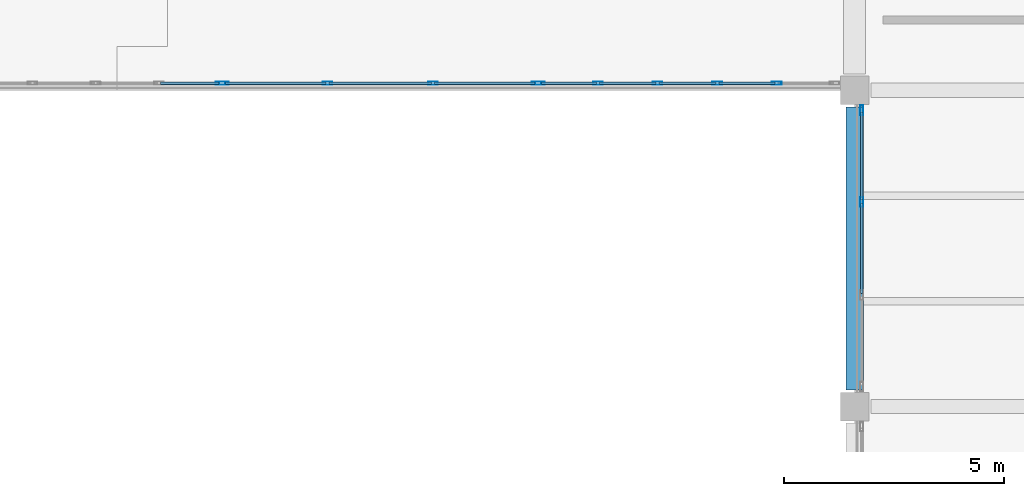
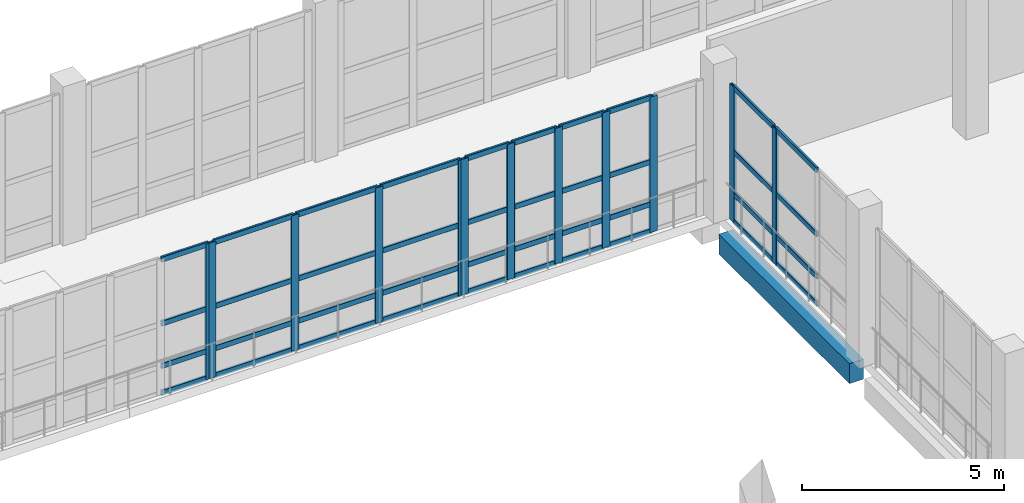
# One storey, part 34 of 127: 52 members, 1 beam, 4 elements without a shape of their own.
"""IFC4 building model written with IfcOpenShell, lengths in metres."""

import ifcopenshell
import ifcopenshell.guid

model = None  # the IFC model being written
_history = None  # IfcOwnerHistory: only IFC2X3 demands one
_inside = {}  # id of a spatial element -> (the spatial element, [elements in it])
_under = {}  # id of a project, library or spatial element -> (it, [spatial elements below it])
_declared = {}  # id of a project -> (the project, [libraries it declares])
_typed = {}  # id of a type object -> (the type object, [elements of that type])
_made_of = {}  # id of a material, layer set ... -> (it, [elements and type objects made of it])


def new_model(schema):
    """Start an empty IFC model of exactly this schema.

    Asked for "IFC4X3", IfcOpenShell would pick the latest addendum, in which some entities
    have other attributes; the version numbers below select the first issue.
    IFC2X3 requires an IfcOwnerHistory on every rooted entity: one is made here for all.
    """
    global model, _history
    if schema == "IFC4X3":
        model = ifcopenshell.file(schema_version=(4, 3, 0, 0))
    else:
        model = ifcopenshell.file(schema=schema)
    _inside.clear()
    _under.clear()
    _declared.clear()
    _typed.clear()
    _made_of.clear()
    _history = None
    if model.schema == "IFC2X3":
        org = make("IfcOrganization", Name="unknown")
        user = make(
            "IfcPersonAndOrganization",
            ThePerson=make("IfcPerson", FamilyName="unknown"),
            TheOrganization=org,
        )
        app = make(
            "IfcApplication",
            ApplicationDeveloper=org,
            Version="unknown",
            ApplicationFullName="unknown",
            ApplicationIdentifier="unknown",
        )
        _history = make(
            "IfcOwnerHistory",
            OwningUser=user,
            OwningApplication=app,
            ChangeAction="ADDED",
            CreationDate=0,
        )
    return model


def make(cls, **values):
    """One entity of the class cls with the attributes given. An attribute that is None is left unset."""
    return model.create_entity(
        cls, **{name: value for name, value in values.items() if value is not None}
    )


def rooted(cls, **values):
    """An entity with a GlobalId (a new one), such as an element, a storey or a relation."""
    return make(cls, GlobalId=ifcopenshell.guid.new(), OwnerHistory=_history, **values)


def si_unit(unit_type, name, prefix=None):
    """IfcSIUnit, for example si_unit("LENGTHUNIT", "METRE", prefix="MILLI")."""
    return make("IfcSIUnit", UnitType=unit_type, Prefix=prefix, Name=name)


def assignment(units):
    """IfcUnitAssignment: the units of a project."""
    return None if units is None else make("IfcUnitAssignment", Units=units)


def point(xyz):
    """IfcCartesianPoint."""
    return None if xyz is None else make("IfcCartesianPoint", Coordinates=xyz)


def direction(xyz):
    """IfcDirection."""
    return None if xyz is None else make("IfcDirection", DirectionRatios=xyz)


def frame(location, z_axis=None, x_axis=None):
    """IfcAxis2Placement3D, a coordinate frame: its origin and axes. An axis left out is left unset."""
    return make(
        "IfcAxis2Placement3D",
        Location=point(location),
        Axis=direction(z_axis),
        RefDirection=direction(x_axis),
    )


def frame_2d(location, x_axis=None):
    """IfcAxis2Placement2D, a coordinate frame in the plane: its origin and x axis."""
    return make(
        "IfcAxis2Placement2D", Location=point(location), RefDirection=direction(x_axis)
    )


def origin():
    """The frame at (0, 0, 0) with its axes left unset."""
    return frame((0.0, 0.0, 0.0))


def origin_2d():
    """The frame at (0, 0) in the plane with its x axis left unset."""
    return frame_2d((0.0, 0.0))


def place(relative_to, where):
    """IfcLocalPlacement: puts the frame where relative to a parent placement (None: the world)."""
    return make(
        "IfcLocalPlacement", PlacementRelTo=relative_to, RelativePlacement=where
    )


def context(
    kind, dimensions, precision=None, world=None, true_north=None, identifier=None
):
    """IfcGeometricRepresentationContext, for example the 3D "Model" context."""
    return make(
        "IfcGeometricRepresentationContext",
        ContextIdentifier=identifier,
        ContextType=kind,
        CoordinateSpaceDimension=dimensions,
        Precision=precision,
        WorldCoordinateSystem=world,
        TrueNorth=true_north,
    )


def subcontext(parent, identifier, kind, view, scale=None):
    """IfcGeometricRepresentationSubContext, for example "Body" below "Model"."""
    return make(
        "IfcGeometricRepresentationSubContext",
        ContextIdentifier=identifier,
        ContextType=kind,
        ParentContext=parent,
        TargetScale=scale,
        TargetView=view,
    )


def project(units=None, contexts=None):
    """IfcProject with its units and contexts."""
    return rooted(
        "IfcProject",
        Name="project",
        RepresentationContexts=contexts,
        UnitsInContext=assignment(units),
    )


def spatial(cls, under=None, at=None, **own):
    """A site, building, storey or space (cls), placed at a placement, below another one or the project."""
    s = rooted(cls, ObjectPlacement=at, **own)
    if under is not None:
        _under.setdefault(under.id(), (under, []))[1].append(s)
    return s


def profile(cls, at=None, kind="AREA", **sizes):
    """A parametric profile (cls). Its sizes go by their IFC names, for example OverallWidth=200.0."""
    return make(cls, ProfileType=kind, Position=at, **sizes)


def rectangle(**sizes):
    """IfcRectangleProfileDef."""
    return profile("IfcRectangleProfileDef", **sizes)


def hollow_rectangle(**sizes):
    """IfcRectangleHollowProfileDef."""
    return profile("IfcRectangleHollowProfileDef", **sizes)


def extrude(swept, where, along, depth):
    """IfcExtrudedAreaSolid: the profile swept, set in the frame where, extruded along a direction by depth."""
    return make(
        "IfcExtrudedAreaSolid",
        SweptArea=swept,
        Position=where,
        ExtrudedDirection=direction(along),
        Depth=depth,
    )


def shape(context_of_items, identifier, shape_type, items):
    """IfcShapeRepresentation: the items that make up one representation, for example the "Body"."""
    return make(
        "IfcShapeRepresentation",
        ContextOfItems=context_of_items,
        RepresentationIdentifier=identifier,
        RepresentationType=shape_type,
        Items=items,
    )


def material(Name=None, Category=None):
    """IfcMaterial."""
    return make("IfcMaterial", Name=Name, Category=Category)


def material_profile(
    of_material, cross_section, Name=None, Category=None, Priority=None
):
    """IfcMaterialProfile: a cross section and its material."""
    return make(
        "IfcMaterialProfile",
        Name=Name,
        Material=of_material,
        Profile=cross_section,
        Priority=Priority,
        Category=Category,
    )


def profile_set(profiles, Name=None, composite=None):
    """IfcMaterialProfileSet."""
    return make(
        "IfcMaterialProfileSet",
        Name=Name,
        MaterialProfiles=profiles,
        CompositeProfile=composite,
    )


def made_of(thing, what):
    """Note that an element or type object is made of a material, layer set ...; save() writes the relation."""
    if what is not None:
        _made_of.setdefault(what.id(), (what, []))[1].append(thing)
    return thing


def type_object(cls, material=None, **own):
    """A type object (cls), such as IfcWallType, which elements share."""
    return made_of(rooted(cls, **own), material)


def element(
    cls,
    number,
    at=None,
    inside=None,
    cuts=None,
    type_object=None,
    material=None,
    context=None,
    identifier="Body",
    shape_type=None,
    held_by="IfcProductDefinitionShape",
    body=None,
    shapes=None,
    **own,
):
    """One element of the class cls, such as IfcWall. Its Tag is "e" and its number.

    at: its placement. inside: the storey or other place that contains it. cuts: it is an
    opening in that element (IfcRelVoidsElement). A single representation is given by context,
    identifier, shape_type and body (its items); several are given by shapes. held_by: the class
    of the entity that holds the representations. save() writes the other relations.
    """
    e = rooted(cls, Tag="e%d" % number, ObjectPlacement=at, **own)
    if body is not None:
        shapes = [shape(context, identifier, shape_type, body)]
    if shapes is not None:
        e.Representation = make(held_by, Representations=shapes)
    if inside is not None:
        _inside.setdefault(inside.id(), (inside, []))[1].append(e)
    if cuts is not None:
        rooted(
            "IfcRelVoidsElement", RelatingBuildingElement=cuts, RelatedOpeningElement=e
        )
    if type_object is not None:
        _typed.setdefault(type_object.id(), (type_object, []))[1].append(e)
    return made_of(e, material)


def aggregate(whole, parts):
    """IfcRelAggregates: a whole, such as a stair, and the parts it consists of."""
    return rooted("IfcRelAggregates", RelatingObject=whole, RelatedObjects=parts)


def save(model, path):
    """Write the relations noted so far, then the file.

    IfcRelAggregates (storeys below a building ...), IfcRelContainedInSpatialStructure (elements
    in a storey), IfcRelDefinesByType, IfcRelAssociatesMaterial and IfcRelDeclares: one each for
    every whole, place, type object, material and project.
    """
    for whole, parts in _under.values():
        aggregate(whole, parts)
    for where, things in _inside.values():
        rooted(
            "IfcRelContainedInSpatialStructure",
            RelatedElements=things,
            RelatingStructure=where,
        )
    for kind, things in _typed.values():
        rooted("IfcRelDefinesByType", RelatedObjects=things, RelatingType=kind)
    for what, things in _made_of.values():
        rooted("IfcRelAssociatesMaterial", RelatedObjects=things, RelatingMaterial=what)
    for by, libraries in _declared.values():
        rooted("IfcRelDeclares", RelatingContext=by, RelatedDefinitions=libraries)
    model.write(path)


model = new_model("IFC4")

# Units and contexts
model_context = context("Model", 3, precision=1e-05, world=origin(), true_north=direction((0.0, 1.0)))
body_context = subcontext(model_context, "Body", "Model", "MODEL_VIEW")
ifc_project = project(units=[si_unit("LENGTHUNIT", "METRE"), si_unit("AREAUNIT", "SQUARE_METRE"), si_unit("VOLUMEUNIT", "CUBIC_METRE"), si_unit("PLANEANGLEUNIT", "RADIAN"), si_unit("MASSUNIT", "GRAM", prefix="KILO")], contexts=[model_context])

# Site, building, storey
site_placement = place(None, origin())
site = spatial("IfcSite", under=ifc_project, at=site_placement, CompositionType="ELEMENT")
building_placement = place(site_placement, origin())
building = spatial("IfcBuilding", under=site, at=building_placement, Name="Kalmorath City Hall", CompositionType="ELEMENT")
storey_placement = place(building_placement, frame((0.0, 0.0, 5.39990234375)))
storey = spatial("IfcBuildingStorey", under=building, at=storey_placement, Name="L01", CompositionType="ELEMENT", Elevation=5.39990234375)

# Beam
ifc_material_1 = material(Name="Concrete C40/50", Category="concrete")
ifc_material_profile_1 = material_profile(ifc_material_1, rectangle(XDim=0.39990234375, YDim=0.60009765625, at=origin_2d()), Name="RC-BM-400X600")
ifc_profile_set_1 = profile_set([ifc_material_profile_1], Name="Concrete C40/50")
beam_type = type_object("IfcBeamType", Name="Concrete edge beam 400x600", PredefinedType="SPANDREL", material=ifc_profile_set_1)
beam_placement = place(storey_placement, frame((79.199951171875, 29.175048828125, -0.6240234375), z_axis=(0.0, 1.0, 0.0), x_axis=(-1.0, 0.0, 0.0)))
element("IfcBeam", 1, at=beam_placement, inside=storey, type_object=beam_type, Name="L01 girder CB6 Y12/5-6", PredefinedType="SPANDREL", context=body_context, shape_type="SweptSolid", body=[
    extrude(rectangle(XDim=0.39990234375, YDim=0.60009765625, at=origin_2d()), origin(), (0.0, 0.0, 1.0), 6.449951171875),
])

# Curtain wall, members
ifc_material_2 = material(Name="Anodised aluminium and laminated glass", Category="aluminium")
curtain_wall_type_1 = type_object("IfcCurtainWallType", Name="Unitised hurricane curtain wall 6370x4090 M2100", PredefinedType="NOTDEFINED", material=ifc_material_2)
curtain_wall_1_placement = place(storey_placement, origin())
curtain_wall_1 = element("IfcCurtainWall", 2, at=curtain_wall_1_placement, inside=storey, type_object=curtain_wall_type_1, Name="L01 curtain wall CW-64X41M21 #73", PredefinedType="NOTDEFINED")
ifc_material_3 = material(Name="Anodised aluminium framing", Category="aluminium")
ifc_material_profile_2 = material_profile(ifc_material_3, hollow_rectangle(XDim=0.074951171875, YDim=0.219970703125, WallThickness=0.00390625, InnerFilletRadius=0.00390625, OuterFilletRadius=0.008056640625, at=origin_2d()), Name="ALU-MUL-220X75X4")
ifc_profile_set_2 = profile_set([ifc_material_profile_2], Name="Anodised aluminium framing")
member_type_1 = type_object("IfcMemberType", Name="Curtain-wall primary mullion 220x75", PredefinedType="MULLION", material=ifc_profile_set_2)
member_1_placement = place(storey_placement, frame((79.360107421875, 33.461669921875, 0.0), z_axis=(0.0, 0.0, 1.0), x_axis=(-1.0, 0.0, 0.0)))
member_1 = element("IfcMember", 3, at=member_1_placement, type_object=member_type_1, Name="CW-64X41M21 mullion 3", PredefinedType="MULLION", context=body_context, shape_type="SweptSolid", body=[
    extrude(hollow_rectangle(XDim=0.074951171875, YDim=0.219970703125, WallThickness=0.00390625, InnerFilletRadius=0.00390625, OuterFilletRadius=0.008056640625, at=origin_2d()), origin(), (0.0, 0.0, 1.0), 4.090087890625),
])
member_2_placement = place(storey_placement, frame((79.360107421875, 35.547607421875, 0.0), z_axis=(0.0, 0.0, 1.0), x_axis=(-1.0, 0.0, 0.0)))
member_2 = element("IfcMember", 4, at=member_2_placement, type_object=member_type_1, Name="CW-64X41M21 mullion 4", PredefinedType="MULLION", context=body_context, shape_type="SweptSolid", body=[
    extrude(hollow_rectangle(XDim=0.074951171875, YDim=0.219970703125, WallThickness=0.00390625, InnerFilletRadius=0.00390625, OuterFilletRadius=0.008056640625, at=origin_2d()), origin(), (0.0, 0.0, 1.0), 4.090087890625),
])

ifc_material_4 = material(Name="Anodised aluminium and laminated glass", Category="aluminium")
curtain_wall_type_2 = type_object("IfcCurtainWallType", Name="Unitised hurricane curtain wall 6785x4090 M1500", PredefinedType="NOTDEFINED", material=ifc_material_4)
curtain_wall_2_placement = place(storey_placement, origin())
curtain_wall_2 = element("IfcCurtainWall", 5, at=curtain_wall_2_placement, inside=storey, type_object=curtain_wall_type_2, Name="L01 curtain wall CW-68X41M15 #74", PredefinedType="NOTDEFINED")
member_3_placement = place(storey_placement, frame((77.427978515625, 36.159912109375, 0.0), z_axis=(0.0, 0.0, 1.0), x_axis=(0.0, -1.0, 0.0)))
member_3 = element("IfcMember", 6, at=member_3_placement, type_object=member_type_1, Name="CW-68X41M15 mullion 2", PredefinedType="MULLION", context=body_context, shape_type="SweptSolid", body=[
    extrude(hollow_rectangle(XDim=0.074951171875, YDim=0.219970703125, WallThickness=0.00390625, InnerFilletRadius=0.00390625, OuterFilletRadius=0.008056640625, at=origin_2d()), origin(), (0.0, 0.0, 1.0), 4.090087890625),
])
member_4_placement = place(storey_placement, frame((76.071044921875, 36.159912109375, 0.0), z_axis=(0.0, 0.0, 1.0), x_axis=(0.0, -1.0, 0.0)))
member_4 = element("IfcMember", 7, at=member_4_placement, type_object=member_type_1, Name="CW-68X41M15 mullion 3", PredefinedType="MULLION", context=body_context, shape_type="SweptSolid", body=[
    extrude(hollow_rectangle(XDim=0.074951171875, YDim=0.219970703125, WallThickness=0.00390625, InnerFilletRadius=0.00390625, OuterFilletRadius=0.008056640625, at=origin_2d()), origin(), (0.0, 0.0, 1.0), 4.090087890625),
])
member_5_placement = place(storey_placement, frame((74.714111328125, 36.159912109375, 0.0), z_axis=(0.0, 0.0, 1.0), x_axis=(0.0, -1.0, 0.0)))
member_5 = element("IfcMember", 8, at=member_5_placement, type_object=member_type_1, Name="CW-68X41M15 mullion 4", PredefinedType="MULLION", context=body_context, shape_type="SweptSolid", body=[
    extrude(hollow_rectangle(XDim=0.074951171875, YDim=0.219970703125, WallThickness=0.00390625, InnerFilletRadius=0.00390625, OuterFilletRadius=0.008056640625, at=origin_2d()), origin(), (0.0, 0.0, 1.0), 4.090087890625),
])
member_6_placement = place(storey_placement, frame((73.35693359375, 36.159912109375, 0.0), z_axis=(0.0, 0.0, 1.0), x_axis=(0.0, -1.0, 0.0)))
member_6 = element("IfcMember", 9, at=member_6_placement, type_object=member_type_1, Name="CW-68X41M15 mullion 5", PredefinedType="MULLION", context=body_context, shape_type="SweptSolid", body=[
    extrude(hollow_rectangle(XDim=0.074951171875, YDim=0.219970703125, WallThickness=0.00390625, InnerFilletRadius=0.00390625, OuterFilletRadius=0.008056640625, at=origin_2d()), origin(), (0.0, 0.0, 1.0), 4.090087890625),
])
member_7_placement = place(storey_placement, frame((72.03759765625, 36.159912109375, 0.0), z_axis=(0.0, 0.0, 1.0), x_axis=(0.0, -1.0, 0.0)))
member_7 = element("IfcMember", 10, at=member_7_placement, type_object=member_type_1, Name="CW-68X41M15 mullion 6", PredefinedType="MULLION", context=body_context, shape_type="SweptSolid", body=[
    extrude(hollow_rectangle(XDim=0.074951171875, YDim=0.219970703125, WallThickness=0.00390625, InnerFilletRadius=0.00390625, OuterFilletRadius=0.008056640625, at=origin_2d()), origin(), (0.0, 0.0, 1.0), 4.090087890625),
])

ifc_material_5 = material(Name="Anodised aluminium and laminated glass", Category="aluminium")
curtain_wall_type_3 = type_object("IfcCurtainWallType", Name="Unitised hurricane curtain wall 7200x4090 M2100", PredefinedType="NOTDEFINED", material=ifc_material_5)
curtain_wall_3_placement = place(storey_placement, origin())
curtain_wall_3 = element("IfcCurtainWall", 11, at=curtain_wall_3_placement, inside=storey, type_object=curtain_wall_type_3, Name="L01 curtain wall CW-72X41M21 #75", PredefinedType="NOTDEFINED")
member_8_placement = place(storey_placement, frame((71.96240234375, 36.159912109375, 0.0), z_axis=(0.0, 0.0, 1.0), x_axis=(0.0, -1.0, 0.0)))
member_8 = element("IfcMember", 12, at=member_8_placement, type_object=member_type_1, Name="CW-72X41M21 mullion 1", PredefinedType="MULLION", context=body_context, shape_type="SweptSolid", body=[
    extrude(hollow_rectangle(XDim=0.074951171875, YDim=0.219970703125, WallThickness=0.00390625, InnerFilletRadius=0.00390625, OuterFilletRadius=0.008056640625, at=origin_2d()), origin(), (0.0, 0.0, 1.0), 4.090087890625),
])
member_9_placement = place(storey_placement, frame((69.60009765625, 36.159912109375, 0.0), z_axis=(0.0, 0.0, 1.0), x_axis=(0.0, -1.0, 0.0)))
member_9 = element("IfcMember", 13, at=member_9_placement, type_object=member_type_1, Name="CW-72X41M21 mullion 2", PredefinedType="MULLION", context=body_context, shape_type="SweptSolid", body=[
    extrude(hollow_rectangle(XDim=0.074951171875, YDim=0.219970703125, WallThickness=0.00390625, InnerFilletRadius=0.00390625, OuterFilletRadius=0.008056640625, at=origin_2d()), origin(), (0.0, 0.0, 1.0), 4.090087890625),
])
member_10_placement = place(storey_placement, frame((67.199951171875, 36.159912109375, 0.0), z_axis=(0.0, 0.0, 1.0), x_axis=(0.0, -1.0, 0.0)))
member_10 = element("IfcMember", 14, at=member_10_placement, type_object=member_type_1, Name="CW-72X41M21 mullion 3", PredefinedType="MULLION", context=body_context, shape_type="SweptSolid", body=[
    extrude(hollow_rectangle(XDim=0.074951171875, YDim=0.219970703125, WallThickness=0.00390625, InnerFilletRadius=0.00390625, OuterFilletRadius=0.008056640625, at=origin_2d()), origin(), (0.0, 0.0, 1.0), 4.090087890625),
])
member_11_placement = place(storey_placement, frame((64.83740234375, 36.159912109375, 0.0), z_axis=(0.0, 0.0, 1.0), x_axis=(0.0, -1.0, 0.0)))
member_11 = element("IfcMember", 15, at=member_11_placement, type_object=member_type_1, Name="CW-72X41M21 mullion 4", PredefinedType="MULLION", context=body_context, shape_type="SweptSolid", body=[
    extrude(hollow_rectangle(XDim=0.074951171875, YDim=0.219970703125, WallThickness=0.00390625, InnerFilletRadius=0.00390625, OuterFilletRadius=0.008056640625, at=origin_2d()), origin(), (0.0, 0.0, 1.0), 4.090087890625),
])

# Curtain wall, member
ifc_material_6 = material(Name="Anodised aluminium and laminated glass", Category="aluminium")
curtain_wall_type_4 = type_object("IfcCurtainWallType", Name="Unitised hurricane curtain wall 7200x4090 M1500", PredefinedType="NOTDEFINED", material=ifc_material_6)
curtain_wall_4_placement = place(storey_placement, origin())
curtain_wall_4 = element("IfcCurtainWall", 16, at=curtain_wall_4_placement, inside=storey, type_object=curtain_wall_type_4, Name="L01 curtain wall CW-72X41M15 #76", PredefinedType="NOTDEFINED")
member_12_placement = place(storey_placement, frame((64.762451171875, 36.159912109375, 0.0), z_axis=(0.0, 0.0, 1.0), x_axis=(0.0, -1.0, 0.0)))
member_12 = element("IfcMember", 17, at=member_12_placement, type_object=member_type_1, Name="CW-72X41M15 mullion 1", PredefinedType="MULLION", context=body_context, shape_type="SweptSolid", body=[
    extrude(hollow_rectangle(XDim=0.074951171875, YDim=0.219970703125, WallThickness=0.00390625, InnerFilletRadius=0.00390625, OuterFilletRadius=0.008056640625, at=origin_2d()), origin(), (0.0, 0.0, 1.0), 4.090087890625),
])

# Member
ifc_material_7 = material(Name="Anodised aluminium framing", Category="aluminium")
ifc_material_profile_3 = material_profile(ifc_material_7, hollow_rectangle(XDim=0.06494140625, YDim=0.159912109375, WallThickness=0.00390625, InnerFilletRadius=0.00390625, OuterFilletRadius=0.008056640625, at=origin_2d()), Name="ALU-TRN-160X65X4")
ifc_profile_set_3 = profile_set([ifc_material_profile_3], Name="Anodised aluminium framing")
member_type_2 = type_object("IfcMemberType", Name="Curtain-wall primary transom 160x65", PredefinedType="USERDEFINED", material=ifc_profile_set_3)
member_13_placement = place(storey_placement, frame((79.360107421875, 31.375732421875, 0.03271484375), z_axis=(0.0, 1.0, 0.0), x_axis=(-1.0, 0.0, 0.0)))
member_13 = element("IfcMember", 18, at=member_13_placement, type_object=member_type_2, Name="CW-64X41M21 transom 2.1", ObjectType="TRANSOM", PredefinedType="USERDEFINED", context=body_context, shape_type="SweptSolid", body=[
    extrude(hollow_rectangle(XDim=0.06494140625, YDim=0.159912109375, WallThickness=0.00390625, InnerFilletRadius=0.00390625, OuterFilletRadius=0.008056640625, at=origin_2d()), origin(), (0.0, 0.0, 1.0), 2.04833984375),
])

member_14_placement = place(storey_placement, frame((79.360107421875, 31.375732421875, 0.85009765625), z_axis=(0.0, 1.0, 0.0), x_axis=(-1.0, 0.0, 0.0)))
member_14 = element("IfcMember", 19, at=member_14_placement, type_object=member_type_2, Name="CW-64X41M21 transom 2.2", ObjectType="TRANSOM", PredefinedType="USERDEFINED", context=body_context, shape_type="SweptSolid", body=[
    extrude(hollow_rectangle(XDim=0.06494140625, YDim=0.159912109375, WallThickness=0.00390625, InnerFilletRadius=0.00390625, OuterFilletRadius=0.008056640625, at=origin_2d()), origin(), (0.0, 0.0, 1.0), 2.04833984375),
])

member_15_placement = place(storey_placement, frame((79.360107421875, 31.375732421875, 2.127197265625), z_axis=(0.0, 1.0, 0.0), x_axis=(-1.0, 0.0, 0.0)))
member_15 = element("IfcMember", 20, at=member_15_placement, type_object=member_type_2, Name="CW-64X41M21 transom 2.3", ObjectType="TRANSOM", PredefinedType="USERDEFINED", context=body_context, shape_type="SweptSolid", body=[
    extrude(hollow_rectangle(XDim=0.06494140625, YDim=0.159912109375, WallThickness=0.00390625, InnerFilletRadius=0.00390625, OuterFilletRadius=0.008056640625, at=origin_2d()), origin(), (0.0, 0.0, 1.0), 2.04833984375),
])

member_16_placement = place(storey_placement, frame((79.360107421875, 31.375732421875, 4.0576171875), z_axis=(0.0, 1.0, 0.0), x_axis=(-1.0, 0.0, 0.0)))
member_16 = element("IfcMember", 21, at=member_16_placement, type_object=member_type_2, Name="CW-64X41M21 transom 2.4", ObjectType="TRANSOM", PredefinedType="USERDEFINED", context=body_context, shape_type="SweptSolid", body=[
    extrude(hollow_rectangle(XDim=0.06494140625, YDim=0.159912109375, WallThickness=0.00390625, InnerFilletRadius=0.00390625, OuterFilletRadius=0.008056640625, at=origin_2d()), origin(), (0.0, 0.0, 1.0), 2.04833984375),
])

member_17_placement = place(storey_placement, frame((79.360107421875, 33.499267578125, 0.03271484375), z_axis=(0.0, 1.0, 0.0), x_axis=(-1.0, 0.0, 0.0)))
member_17 = element("IfcMember", 22, at=member_17_placement, type_object=member_type_2, Name="CW-64X41M21 transom 3.1", ObjectType="TRANSOM", PredefinedType="USERDEFINED", context=body_context, shape_type="SweptSolid", body=[
    extrude(hollow_rectangle(XDim=0.06494140625, YDim=0.159912109375, WallThickness=0.00390625, InnerFilletRadius=0.00390625, OuterFilletRadius=0.008056640625, at=origin_2d()), origin(), (0.0, 0.0, 1.0), 2.0107421875),
])

member_18_placement = place(storey_placement, frame((79.360107421875, 33.499267578125, 0.85009765625), z_axis=(0.0, 1.0, 0.0), x_axis=(-1.0, 0.0, 0.0)))
member_18 = element("IfcMember", 23, at=member_18_placement, type_object=member_type_2, Name="CW-64X41M21 transom 3.2", ObjectType="TRANSOM", PredefinedType="USERDEFINED", context=body_context, shape_type="SweptSolid", body=[
    extrude(hollow_rectangle(XDim=0.06494140625, YDim=0.159912109375, WallThickness=0.00390625, InnerFilletRadius=0.00390625, OuterFilletRadius=0.008056640625, at=origin_2d()), origin(), (0.0, 0.0, 1.0), 2.0107421875),
])

member_19_placement = place(storey_placement, frame((79.360107421875, 33.499267578125, 2.127197265625), z_axis=(0.0, 1.0, 0.0), x_axis=(-1.0, 0.0, 0.0)))
member_19 = element("IfcMember", 24, at=member_19_placement, type_object=member_type_2, Name="CW-64X41M21 transom 3.3", ObjectType="TRANSOM", PredefinedType="USERDEFINED", context=body_context, shape_type="SweptSolid", body=[
    extrude(hollow_rectangle(XDim=0.06494140625, YDim=0.159912109375, WallThickness=0.00390625, InnerFilletRadius=0.00390625, OuterFilletRadius=0.008056640625, at=origin_2d()), origin(), (0.0, 0.0, 1.0), 2.0107421875),
])

member_20_placement = place(storey_placement, frame((79.360107421875, 33.499267578125, 4.0576171875), z_axis=(0.0, 1.0, 0.0), x_axis=(-1.0, 0.0, 0.0)))
member_20 = element("IfcMember", 25, at=member_20_placement, type_object=member_type_2, Name="CW-64X41M21 transom 3.4", ObjectType="TRANSOM", PredefinedType="USERDEFINED", context=body_context, shape_type="SweptSolid", body=[
    extrude(hollow_rectangle(XDim=0.06494140625, YDim=0.159912109375, WallThickness=0.00390625, InnerFilletRadius=0.00390625, OuterFilletRadius=0.008056640625, at=origin_2d()), origin(), (0.0, 0.0, 1.0), 2.0107421875),
])

aggregate(curtain_wall_1, [member_1, member_2, member_13, member_14, member_15, member_16, member_17, member_18, member_19, member_20])

member_21_placement = place(storey_placement, frame((77.390380859375, 36.159912109375, 0.03271484375), z_axis=(-1.0, 0.0, 0.0), x_axis=(0.0, -1.0, 0.0)))
member_21 = element("IfcMember", 26, at=member_21_placement, type_object=member_type_2, Name="CW-68X41M15 transom 2.1", ObjectType="TRANSOM", PredefinedType="USERDEFINED", context=body_context, shape_type="SweptSolid", body=[
    extrude(hollow_rectangle(XDim=0.06494140625, YDim=0.159912109375, WallThickness=0.00390625, InnerFilletRadius=0.00390625, OuterFilletRadius=0.008056640625, at=origin_2d()), origin(), (0.0, 0.0, 1.0), 1.281982421875),
])

member_22_placement = place(storey_placement, frame((77.390380859375, 36.159912109375, 0.85009765625), z_axis=(-1.0, 0.0, 0.0), x_axis=(0.0, -1.0, 0.0)))
member_22 = element("IfcMember", 27, at=member_22_placement, type_object=member_type_2, Name="CW-68X41M15 transom 2.2", ObjectType="TRANSOM", PredefinedType="USERDEFINED", context=body_context, shape_type="SweptSolid", body=[
    extrude(hollow_rectangle(XDim=0.06494140625, YDim=0.159912109375, WallThickness=0.00390625, InnerFilletRadius=0.00390625, OuterFilletRadius=0.008056640625, at=origin_2d()), origin(), (0.0, 0.0, 1.0), 1.281982421875),
])

member_23_placement = place(storey_placement, frame((77.390380859375, 36.159912109375, 2.127197265625), z_axis=(-1.0, 0.0, 0.0), x_axis=(0.0, -1.0, 0.0)))
member_23 = element("IfcMember", 28, at=member_23_placement, type_object=member_type_2, Name="CW-68X41M15 transom 2.3", ObjectType="TRANSOM", PredefinedType="USERDEFINED", context=body_context, shape_type="SweptSolid", body=[
    extrude(hollow_rectangle(XDim=0.06494140625, YDim=0.159912109375, WallThickness=0.00390625, InnerFilletRadius=0.00390625, OuterFilletRadius=0.008056640625, at=origin_2d()), origin(), (0.0, 0.0, 1.0), 1.281982421875),
])

member_24_placement = place(storey_placement, frame((77.390380859375, 36.159912109375, 4.0576171875), z_axis=(-1.0, 0.0, 0.0), x_axis=(0.0, -1.0, 0.0)))
member_24 = element("IfcMember", 29, at=member_24_placement, type_object=member_type_2, Name="CW-68X41M15 transom 2.4", ObjectType="TRANSOM", PredefinedType="USERDEFINED", context=body_context, shape_type="SweptSolid", body=[
    extrude(hollow_rectangle(XDim=0.06494140625, YDim=0.159912109375, WallThickness=0.00390625, InnerFilletRadius=0.00390625, OuterFilletRadius=0.008056640625, at=origin_2d()), origin(), (0.0, 0.0, 1.0), 1.281982421875),
])

member_25_placement = place(storey_placement, frame((76.033447265625, 36.159912109375, 0.03271484375), z_axis=(-1.0, 0.0, 0.0), x_axis=(0.0, -1.0, 0.0)))
member_25 = element("IfcMember", 30, at=member_25_placement, type_object=member_type_2, Name="CW-68X41M15 transom 3.1", ObjectType="TRANSOM", PredefinedType="USERDEFINED", context=body_context, shape_type="SweptSolid", body=[
    extrude(hollow_rectangle(XDim=0.06494140625, YDim=0.159912109375, WallThickness=0.00390625, InnerFilletRadius=0.00390625, OuterFilletRadius=0.008056640625, at=origin_2d()), origin(), (0.0, 0.0, 1.0), 1.281982421875),
])

member_26_placement = place(storey_placement, frame((76.033447265625, 36.159912109375, 0.85009765625), z_axis=(-1.0, 0.0, 0.0), x_axis=(0.0, -1.0, 0.0)))
member_26 = element("IfcMember", 31, at=member_26_placement, type_object=member_type_2, Name="CW-68X41M15 transom 3.2", ObjectType="TRANSOM", PredefinedType="USERDEFINED", context=body_context, shape_type="SweptSolid", body=[
    extrude(hollow_rectangle(XDim=0.06494140625, YDim=0.159912109375, WallThickness=0.00390625, InnerFilletRadius=0.00390625, OuterFilletRadius=0.008056640625, at=origin_2d()), origin(), (0.0, 0.0, 1.0), 1.281982421875),
])

member_27_placement = place(storey_placement, frame((76.033447265625, 36.159912109375, 2.127197265625), z_axis=(-1.0, 0.0, 0.0), x_axis=(0.0, -1.0, 0.0)))
member_27 = element("IfcMember", 32, at=member_27_placement, type_object=member_type_2, Name="CW-68X41M15 transom 3.3", ObjectType="TRANSOM", PredefinedType="USERDEFINED", context=body_context, shape_type="SweptSolid", body=[
    extrude(hollow_rectangle(XDim=0.06494140625, YDim=0.159912109375, WallThickness=0.00390625, InnerFilletRadius=0.00390625, OuterFilletRadius=0.008056640625, at=origin_2d()), origin(), (0.0, 0.0, 1.0), 1.281982421875),
])

member_28_placement = place(storey_placement, frame((76.033447265625, 36.159912109375, 4.0576171875), z_axis=(-1.0, 0.0, 0.0), x_axis=(0.0, -1.0, 0.0)))
member_28 = element("IfcMember", 33, at=member_28_placement, type_object=member_type_2, Name="CW-68X41M15 transom 3.4", ObjectType="TRANSOM", PredefinedType="USERDEFINED", context=body_context, shape_type="SweptSolid", body=[
    extrude(hollow_rectangle(XDim=0.06494140625, YDim=0.159912109375, WallThickness=0.00390625, InnerFilletRadius=0.00390625, OuterFilletRadius=0.008056640625, at=origin_2d()), origin(), (0.0, 0.0, 1.0), 1.281982421875),
])

member_29_placement = place(storey_placement, frame((74.676513671875, 36.159912109375, 0.03271484375), z_axis=(-1.0, 0.0, 0.0), x_axis=(0.0, -1.0, 0.0)))
member_29 = element("IfcMember", 34, at=member_29_placement, type_object=member_type_2, Name="CW-68X41M15 transom 4.1", ObjectType="TRANSOM", PredefinedType="USERDEFINED", context=body_context, shape_type="SweptSolid", body=[
    extrude(hollow_rectangle(XDim=0.06494140625, YDim=0.159912109375, WallThickness=0.00390625, InnerFilletRadius=0.00390625, OuterFilletRadius=0.008056640625, at=origin_2d()), origin(), (0.0, 0.0, 1.0), 1.281982421875),
])

member_30_placement = place(storey_placement, frame((74.676513671875, 36.159912109375, 0.85009765625), z_axis=(-1.0, 0.0, 0.0), x_axis=(0.0, -1.0, 0.0)))
member_30 = element("IfcMember", 35, at=member_30_placement, type_object=member_type_2, Name="CW-68X41M15 transom 4.2", ObjectType="TRANSOM", PredefinedType="USERDEFINED", context=body_context, shape_type="SweptSolid", body=[
    extrude(hollow_rectangle(XDim=0.06494140625, YDim=0.159912109375, WallThickness=0.00390625, InnerFilletRadius=0.00390625, OuterFilletRadius=0.008056640625, at=origin_2d()), origin(), (0.0, 0.0, 1.0), 1.281982421875),
])

member_31_placement = place(storey_placement, frame((74.676513671875, 36.159912109375, 2.127197265625), z_axis=(-1.0, 0.0, 0.0), x_axis=(0.0, -1.0, 0.0)))
member_31 = element("IfcMember", 36, at=member_31_placement, type_object=member_type_2, Name="CW-68X41M15 transom 4.3", ObjectType="TRANSOM", PredefinedType="USERDEFINED", context=body_context, shape_type="SweptSolid", body=[
    extrude(hollow_rectangle(XDim=0.06494140625, YDim=0.159912109375, WallThickness=0.00390625, InnerFilletRadius=0.00390625, OuterFilletRadius=0.008056640625, at=origin_2d()), origin(), (0.0, 0.0, 1.0), 1.281982421875),
])

member_32_placement = place(storey_placement, frame((74.676513671875, 36.159912109375, 4.0576171875), z_axis=(-1.0, 0.0, 0.0), x_axis=(0.0, -1.0, 0.0)))
member_32 = element("IfcMember", 37, at=member_32_placement, type_object=member_type_2, Name="CW-68X41M15 transom 4.4", ObjectType="TRANSOM", PredefinedType="USERDEFINED", context=body_context, shape_type="SweptSolid", body=[
    extrude(hollow_rectangle(XDim=0.06494140625, YDim=0.159912109375, WallThickness=0.00390625, InnerFilletRadius=0.00390625, OuterFilletRadius=0.008056640625, at=origin_2d()), origin(), (0.0, 0.0, 1.0), 1.281982421875),
])

member_33_placement = place(storey_placement, frame((73.319580078125, 36.159912109375, 0.03271484375), z_axis=(-1.0, 0.0, 0.0), x_axis=(0.0, -1.0, 0.0)))
member_33 = element("IfcMember", 38, at=member_33_placement, type_object=member_type_2, Name="CW-68X41M15 transom 5.1", ObjectType="TRANSOM", PredefinedType="USERDEFINED", context=body_context, shape_type="SweptSolid", body=[
    extrude(hollow_rectangle(XDim=0.06494140625, YDim=0.159912109375, WallThickness=0.00390625, InnerFilletRadius=0.00390625, OuterFilletRadius=0.008056640625, at=origin_2d()), origin(), (0.0, 0.0, 1.0), 1.24462890625),
])

member_34_placement = place(storey_placement, frame((73.319580078125, 36.159912109375, 0.85009765625), z_axis=(-1.0, 0.0, 0.0), x_axis=(0.0, -1.0, 0.0)))
member_34 = element("IfcMember", 39, at=member_34_placement, type_object=member_type_2, Name="CW-68X41M15 transom 5.2", ObjectType="TRANSOM", PredefinedType="USERDEFINED", context=body_context, shape_type="SweptSolid", body=[
    extrude(hollow_rectangle(XDim=0.06494140625, YDim=0.159912109375, WallThickness=0.00390625, InnerFilletRadius=0.00390625, OuterFilletRadius=0.008056640625, at=origin_2d()), origin(), (0.0, 0.0, 1.0), 1.24462890625),
])

member_35_placement = place(storey_placement, frame((73.319580078125, 36.159912109375, 2.127197265625), z_axis=(-1.0, 0.0, 0.0), x_axis=(0.0, -1.0, 0.0)))
member_35 = element("IfcMember", 40, at=member_35_placement, type_object=member_type_2, Name="CW-68X41M15 transom 5.3", ObjectType="TRANSOM", PredefinedType="USERDEFINED", context=body_context, shape_type="SweptSolid", body=[
    extrude(hollow_rectangle(XDim=0.06494140625, YDim=0.159912109375, WallThickness=0.00390625, InnerFilletRadius=0.00390625, OuterFilletRadius=0.008056640625, at=origin_2d()), origin(), (0.0, 0.0, 1.0), 1.24462890625),
])

member_36_placement = place(storey_placement, frame((73.319580078125, 36.159912109375, 4.0576171875), z_axis=(-1.0, 0.0, 0.0), x_axis=(0.0, -1.0, 0.0)))
member_36 = element("IfcMember", 41, at=member_36_placement, type_object=member_type_2, Name="CW-68X41M15 transom 5.4", ObjectType="TRANSOM", PredefinedType="USERDEFINED", context=body_context, shape_type="SweptSolid", body=[
    extrude(hollow_rectangle(XDim=0.06494140625, YDim=0.159912109375, WallThickness=0.00390625, InnerFilletRadius=0.00390625, OuterFilletRadius=0.008056640625, at=origin_2d()), origin(), (0.0, 0.0, 1.0), 1.24462890625),
])

aggregate(curtain_wall_2, [member_3, member_4, member_5, member_6, member_7, member_21, member_22, member_23, member_24, member_25, member_26, member_27, member_28, member_29, member_30, member_31, member_32, member_33, member_34, member_35, member_36])

member_37_placement = place(storey_placement, frame((71.925048828125, 36.159912109375, 0.03271484375), z_axis=(-1.0, 0.0, 0.0), x_axis=(0.0, -1.0, 0.0)))
member_37 = element("IfcMember", 42, at=member_37_placement, type_object=member_type_2, Name="CW-72X41M21 transom 1.1", ObjectType="TRANSOM", PredefinedType="USERDEFINED", context=body_context, shape_type="SweptSolid", body=[
    extrude(hollow_rectangle(XDim=0.06494140625, YDim=0.159912109375, WallThickness=0.00390625, InnerFilletRadius=0.00390625, OuterFilletRadius=0.008056640625, at=origin_2d()), origin(), (0.0, 0.0, 1.0), 2.28759765625),
])

member_38_placement = place(storey_placement, frame((71.925048828125, 36.159912109375, 0.85009765625), z_axis=(-1.0, 0.0, 0.0), x_axis=(0.0, -1.0, 0.0)))
member_38 = element("IfcMember", 43, at=member_38_placement, type_object=member_type_2, Name="CW-72X41M21 transom 1.2", ObjectType="TRANSOM", PredefinedType="USERDEFINED", context=body_context, shape_type="SweptSolid", body=[
    extrude(hollow_rectangle(XDim=0.06494140625, YDim=0.159912109375, WallThickness=0.00390625, InnerFilletRadius=0.00390625, OuterFilletRadius=0.008056640625, at=origin_2d()), origin(), (0.0, 0.0, 1.0), 2.28759765625),
])

member_39_placement = place(storey_placement, frame((71.925048828125, 36.159912109375, 2.127197265625), z_axis=(-1.0, 0.0, 0.0), x_axis=(0.0, -1.0, 0.0)))
member_39 = element("IfcMember", 44, at=member_39_placement, type_object=member_type_2, Name="CW-72X41M21 transom 1.3", ObjectType="TRANSOM", PredefinedType="USERDEFINED", context=body_context, shape_type="SweptSolid", body=[
    extrude(hollow_rectangle(XDim=0.06494140625, YDim=0.159912109375, WallThickness=0.00390625, InnerFilletRadius=0.00390625, OuterFilletRadius=0.008056640625, at=origin_2d()), origin(), (0.0, 0.0, 1.0), 2.28759765625),
])

member_40_placement = place(storey_placement, frame((71.925048828125, 36.159912109375, 4.0576171875), z_axis=(-1.0, 0.0, 0.0), x_axis=(0.0, -1.0, 0.0)))
member_40 = element("IfcMember", 45, at=member_40_placement, type_object=member_type_2, Name="CW-72X41M21 transom 1.4", ObjectType="TRANSOM", PredefinedType="USERDEFINED", context=body_context, shape_type="SweptSolid", body=[
    extrude(hollow_rectangle(XDim=0.06494140625, YDim=0.159912109375, WallThickness=0.00390625, InnerFilletRadius=0.00390625, OuterFilletRadius=0.008056640625, at=origin_2d()), origin(), (0.0, 0.0, 1.0), 2.28759765625),
])

member_41_placement = place(storey_placement, frame((69.5625, 36.159912109375, 0.03271484375), z_axis=(-1.0, 0.0, 0.0), x_axis=(0.0, -1.0, 0.0)))
member_41 = element("IfcMember", 46, at=member_41_placement, type_object=member_type_2, Name="CW-72X41M21 transom 2.1", ObjectType="TRANSOM", PredefinedType="USERDEFINED", context=body_context, shape_type="SweptSolid", body=[
    extrude(hollow_rectangle(XDim=0.06494140625, YDim=0.159912109375, WallThickness=0.00390625, InnerFilletRadius=0.00390625, OuterFilletRadius=0.008056640625, at=origin_2d()), origin(), (0.0, 0.0, 1.0), 2.324951171875),
])

member_42_placement = place(storey_placement, frame((69.5625, 36.159912109375, 0.85009765625), z_axis=(-1.0, 0.0, 0.0), x_axis=(0.0, -1.0, 0.0)))
member_42 = element("IfcMember", 47, at=member_42_placement, type_object=member_type_2, Name="CW-72X41M21 transom 2.2", ObjectType="TRANSOM", PredefinedType="USERDEFINED", context=body_context, shape_type="SweptSolid", body=[
    extrude(hollow_rectangle(XDim=0.06494140625, YDim=0.159912109375, WallThickness=0.00390625, InnerFilletRadius=0.00390625, OuterFilletRadius=0.008056640625, at=origin_2d()), origin(), (0.0, 0.0, 1.0), 2.324951171875),
])

member_43_placement = place(storey_placement, frame((69.5625, 36.159912109375, 2.127197265625), z_axis=(-1.0, 0.0, 0.0), x_axis=(0.0, -1.0, 0.0)))
member_43 = element("IfcMember", 48, at=member_43_placement, type_object=member_type_2, Name="CW-72X41M21 transom 2.3", ObjectType="TRANSOM", PredefinedType="USERDEFINED", context=body_context, shape_type="SweptSolid", body=[
    extrude(hollow_rectangle(XDim=0.06494140625, YDim=0.159912109375, WallThickness=0.00390625, InnerFilletRadius=0.00390625, OuterFilletRadius=0.008056640625, at=origin_2d()), origin(), (0.0, 0.0, 1.0), 2.324951171875),
])

member_44_placement = place(storey_placement, frame((69.5625, 36.159912109375, 4.0576171875), z_axis=(-1.0, 0.0, 0.0), x_axis=(0.0, -1.0, 0.0)))
member_44 = element("IfcMember", 49, at=member_44_placement, type_object=member_type_2, Name="CW-72X41M21 transom 2.4", ObjectType="TRANSOM", PredefinedType="USERDEFINED", context=body_context, shape_type="SweptSolid", body=[
    extrude(hollow_rectangle(XDim=0.06494140625, YDim=0.159912109375, WallThickness=0.00390625, InnerFilletRadius=0.00390625, OuterFilletRadius=0.008056640625, at=origin_2d()), origin(), (0.0, 0.0, 1.0), 2.324951171875),
])

member_45_placement = place(storey_placement, frame((67.16259765625, 36.159912109375, 0.03271484375), z_axis=(-1.0, 0.0, 0.0), x_axis=(0.0, -1.0, 0.0)))
member_45 = element("IfcMember", 50, at=member_45_placement, type_object=member_type_2, Name="CW-72X41M21 transom 3.1", ObjectType="TRANSOM", PredefinedType="USERDEFINED", context=body_context, shape_type="SweptSolid", body=[
    extrude(hollow_rectangle(XDim=0.06494140625, YDim=0.159912109375, WallThickness=0.00390625, InnerFilletRadius=0.00390625, OuterFilletRadius=0.008056640625, at=origin_2d()), origin(), (0.0, 0.0, 1.0), 2.28759765625),
])

member_46_placement = place(storey_placement, frame((67.16259765625, 36.159912109375, 0.85009765625), z_axis=(-1.0, 0.0, 0.0), x_axis=(0.0, -1.0, 0.0)))
member_46 = element("IfcMember", 51, at=member_46_placement, type_object=member_type_2, Name="CW-72X41M21 transom 3.2", ObjectType="TRANSOM", PredefinedType="USERDEFINED", context=body_context, shape_type="SweptSolid", body=[
    extrude(hollow_rectangle(XDim=0.06494140625, YDim=0.159912109375, WallThickness=0.00390625, InnerFilletRadius=0.00390625, OuterFilletRadius=0.008056640625, at=origin_2d()), origin(), (0.0, 0.0, 1.0), 2.28759765625),
])

member_47_placement = place(storey_placement, frame((67.16259765625, 36.159912109375, 2.127197265625), z_axis=(-1.0, 0.0, 0.0), x_axis=(0.0, -1.0, 0.0)))
member_47 = element("IfcMember", 52, at=member_47_placement, type_object=member_type_2, Name="CW-72X41M21 transom 3.3", ObjectType="TRANSOM", PredefinedType="USERDEFINED", context=body_context, shape_type="SweptSolid", body=[
    extrude(hollow_rectangle(XDim=0.06494140625, YDim=0.159912109375, WallThickness=0.00390625, InnerFilletRadius=0.00390625, OuterFilletRadius=0.008056640625, at=origin_2d()), origin(), (0.0, 0.0, 1.0), 2.28759765625),
])

member_48_placement = place(storey_placement, frame((67.16259765625, 36.159912109375, 4.0576171875), z_axis=(-1.0, 0.0, 0.0), x_axis=(0.0, -1.0, 0.0)))
member_48 = element("IfcMember", 53, at=member_48_placement, type_object=member_type_2, Name="CW-72X41M21 transom 3.4", ObjectType="TRANSOM", PredefinedType="USERDEFINED", context=body_context, shape_type="SweptSolid", body=[
    extrude(hollow_rectangle(XDim=0.06494140625, YDim=0.159912109375, WallThickness=0.00390625, InnerFilletRadius=0.00390625, OuterFilletRadius=0.008056640625, at=origin_2d()), origin(), (0.0, 0.0, 1.0), 2.28759765625),
])

aggregate(curtain_wall_3, [member_8, member_9, member_10, member_11, member_37, member_38, member_39, member_40, member_41, member_42, member_43, member_44, member_45, member_46, member_47, member_48])

member_49_placement = place(storey_placement, frame((64.72509765625, 36.159912109375, 0.03271484375), z_axis=(-1.0, 0.0, 0.0), x_axis=(0.0, -1.0, 0.0)))
member_49 = element("IfcMember", 54, at=member_49_placement, type_object=member_type_2, Name="CW-72X41M15 transom 1.1", ObjectType="TRANSOM", PredefinedType="USERDEFINED", context=body_context, shape_type="SweptSolid", body=[
    extrude(hollow_rectangle(XDim=0.06494140625, YDim=0.159912109375, WallThickness=0.00390625, InnerFilletRadius=0.00390625, OuterFilletRadius=0.008056640625, at=origin_2d()), origin(), (0.0, 0.0, 1.0), 1.32763671875),
])

member_50_placement = place(storey_placement, frame((64.72509765625, 36.159912109375, 0.85009765625), z_axis=(-1.0, 0.0, 0.0), x_axis=(0.0, -1.0, 0.0)))
member_50 = element("IfcMember", 55, at=member_50_placement, type_object=member_type_2, Name="CW-72X41M15 transom 1.2", ObjectType="TRANSOM", PredefinedType="USERDEFINED", context=body_context, shape_type="SweptSolid", body=[
    extrude(hollow_rectangle(XDim=0.06494140625, YDim=0.159912109375, WallThickness=0.00390625, InnerFilletRadius=0.00390625, OuterFilletRadius=0.008056640625, at=origin_2d()), origin(), (0.0, 0.0, 1.0), 1.32763671875),
])

member_51_placement = place(storey_placement, frame((64.72509765625, 36.159912109375, 2.127197265625), z_axis=(-1.0, 0.0, 0.0), x_axis=(0.0, -1.0, 0.0)))
member_51 = element("IfcMember", 56, at=member_51_placement, type_object=member_type_2, Name="CW-72X41M15 transom 1.3", ObjectType="TRANSOM", PredefinedType="USERDEFINED", context=body_context, shape_type="SweptSolid", body=[
    extrude(hollow_rectangle(XDim=0.06494140625, YDim=0.159912109375, WallThickness=0.00390625, InnerFilletRadius=0.00390625, OuterFilletRadius=0.008056640625, at=origin_2d()), origin(), (0.0, 0.0, 1.0), 1.32763671875),
])

member_52_placement = place(storey_placement, frame((64.72509765625, 36.159912109375, 4.0576171875), z_axis=(-1.0, 0.0, 0.0), x_axis=(0.0, -1.0, 0.0)))
member_52 = element("IfcMember", 57, at=member_52_placement, type_object=member_type_2, Name="CW-72X41M15 transom 1.4", ObjectType="TRANSOM", PredefinedType="USERDEFINED", context=body_context, shape_type="SweptSolid", body=[
    extrude(hollow_rectangle(XDim=0.06494140625, YDim=0.159912109375, WallThickness=0.00390625, InnerFilletRadius=0.00390625, OuterFilletRadius=0.008056640625, at=origin_2d()), origin(), (0.0, 0.0, 1.0), 1.32763671875),
])

aggregate(curtain_wall_4, [member_12, member_49, member_50, member_51, member_52])

save(model, "model.ifc")
